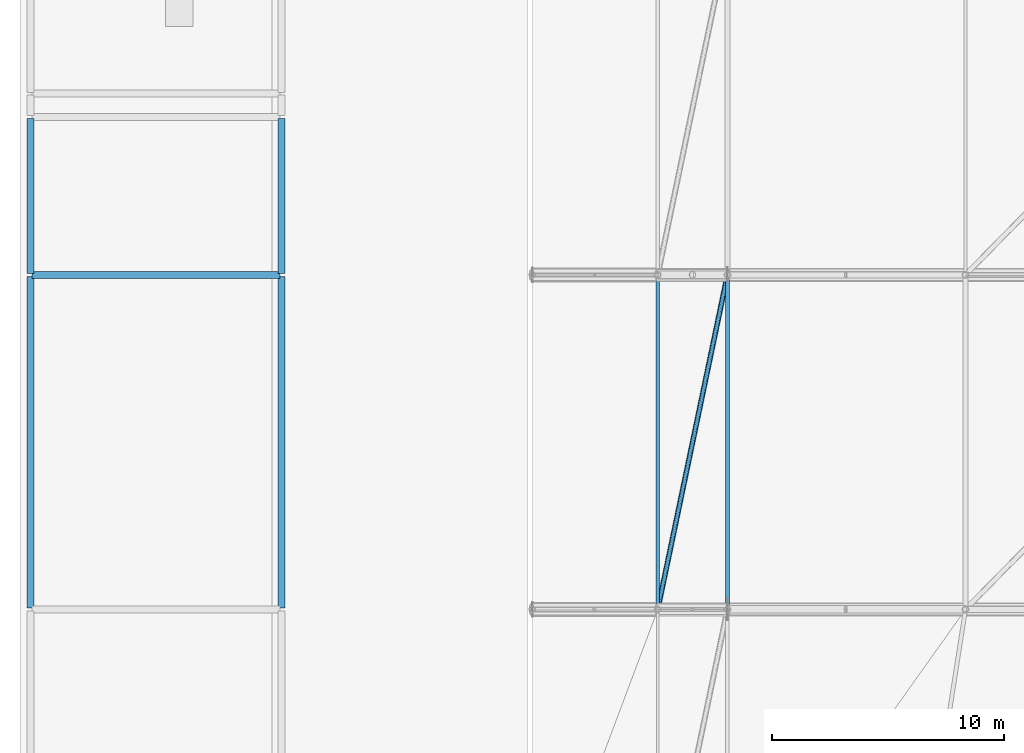
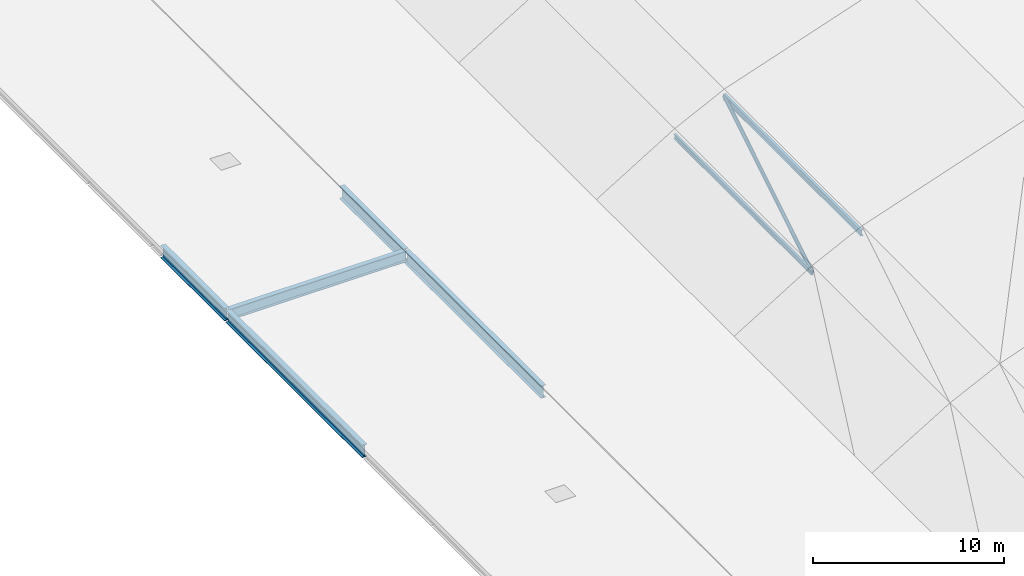
# One storey, part 6 of 36: 5 beams, 3 members.
"""IFC4 building model written with IfcOpenShell, lengths in metres."""

import ifcopenshell
import ifcopenshell.guid

model = None  # the IFC model being written
_history = None  # IfcOwnerHistory: only IFC2X3 demands one
_inside = {}  # id of a spatial element -> (the spatial element, [elements in it])
_under = {}  # id of a project, library or spatial element -> (it, [spatial elements below it])
_declared = {}  # id of a project -> (the project, [libraries it declares])
_typed = {}  # id of a type object -> (the type object, [elements of that type])
_made_of = {}  # id of a material, layer set ... -> (it, [elements and type objects made of it])


def new_model(schema):
    """Start an empty IFC model of exactly this schema.

    Asked for "IFC4X3", IfcOpenShell would pick the latest addendum, in which some entities
    have other attributes; the version numbers below select the first issue.
    IFC2X3 requires an IfcOwnerHistory on every rooted entity: one is made here for all.
    """
    global model, _history
    if schema == "IFC4X3":
        model = ifcopenshell.file(schema_version=(4, 3, 0, 0))
    else:
        model = ifcopenshell.file(schema=schema)
    _inside.clear()
    _under.clear()
    _declared.clear()
    _typed.clear()
    _made_of.clear()
    _history = None
    if model.schema == "IFC2X3":
        org = make("IfcOrganization", Name="unknown")
        user = make(
            "IfcPersonAndOrganization",
            ThePerson=make("IfcPerson", FamilyName="unknown"),
            TheOrganization=org,
        )
        app = make(
            "IfcApplication",
            ApplicationDeveloper=org,
            Version="unknown",
            ApplicationFullName="unknown",
            ApplicationIdentifier="unknown",
        )
        _history = make(
            "IfcOwnerHistory",
            OwningUser=user,
            OwningApplication=app,
            ChangeAction="ADDED",
            CreationDate=0,
        )
    return model


def make(cls, **values):
    """One entity of the class cls with the attributes given. An attribute that is None is left unset."""
    return model.create_entity(
        cls, **{name: value for name, value in values.items() if value is not None}
    )


def rooted(cls, **values):
    """An entity with a GlobalId (a new one), such as an element, a storey or a relation."""
    return make(cls, GlobalId=ifcopenshell.guid.new(), OwnerHistory=_history, **values)


def si_unit(unit_type, name, prefix=None):
    """IfcSIUnit, for example si_unit("LENGTHUNIT", "METRE", prefix="MILLI")."""
    return make("IfcSIUnit", UnitType=unit_type, Prefix=prefix, Name=name)


def assignment(units):
    """IfcUnitAssignment: the units of a project."""
    return None if units is None else make("IfcUnitAssignment", Units=units)


def point(xyz):
    """IfcCartesianPoint."""
    return None if xyz is None else make("IfcCartesianPoint", Coordinates=xyz)


def direction(xyz):
    """IfcDirection."""
    return None if xyz is None else make("IfcDirection", DirectionRatios=xyz)


def frame(location, z_axis=None, x_axis=None):
    """IfcAxis2Placement3D, a coordinate frame: its origin and axes. An axis left out is left unset."""
    return make(
        "IfcAxis2Placement3D",
        Location=point(location),
        Axis=direction(z_axis),
        RefDirection=direction(x_axis),
    )


def frame_2d(location, x_axis=None):
    """IfcAxis2Placement2D, a coordinate frame in the plane: its origin and x axis."""
    return make(
        "IfcAxis2Placement2D", Location=point(location), RefDirection=direction(x_axis)
    )


def origin():
    """The frame at (0, 0, 0) with its axes left unset."""
    return frame((0.0, 0.0, 0.0))


def origin_2d():
    """The frame at (0, 0) in the plane with its x axis left unset."""
    return frame_2d((0.0, 0.0))


def place(relative_to, where):
    """IfcLocalPlacement: puts the frame where relative to a parent placement (None: the world)."""
    return make(
        "IfcLocalPlacement", PlacementRelTo=relative_to, RelativePlacement=where
    )


def context(
    kind, dimensions, precision=None, world=None, true_north=None, identifier=None
):
    """IfcGeometricRepresentationContext, for example the 3D "Model" context."""
    return make(
        "IfcGeometricRepresentationContext",
        ContextIdentifier=identifier,
        ContextType=kind,
        CoordinateSpaceDimension=dimensions,
        Precision=precision,
        WorldCoordinateSystem=world,
        TrueNorth=true_north,
    )


def subcontext(parent, identifier, kind, view, scale=None):
    """IfcGeometricRepresentationSubContext, for example "Body" below "Model"."""
    return make(
        "IfcGeometricRepresentationSubContext",
        ContextIdentifier=identifier,
        ContextType=kind,
        ParentContext=parent,
        TargetScale=scale,
        TargetView=view,
    )


def project(units=None, contexts=None):
    """IfcProject with its units and contexts."""
    return rooted(
        "IfcProject",
        Name="project",
        RepresentationContexts=contexts,
        UnitsInContext=assignment(units),
    )


def spatial(cls, under=None, at=None, **own):
    """A site, building, storey or space (cls), placed at a placement, below another one or the project."""
    s = rooted(cls, ObjectPlacement=at, **own)
    if under is not None:
        _under.setdefault(under.id(), (under, []))[1].append(s)
    return s


def profile(cls, at=None, kind="AREA", **sizes):
    """A parametric profile (cls). Its sizes go by their IFC names, for example OverallWidth=200.0."""
    return make(cls, ProfileType=kind, Position=at, **sizes)


def hollow_circle(**sizes):
    """IfcCircleHollowProfileDef."""
    return profile("IfcCircleHollowProfileDef", **sizes)


def i_section(**sizes):
    """IfcIShapeProfileDef."""
    return profile("IfcIShapeProfileDef", **sizes)


def extrude(swept, where, along, depth):
    """IfcExtrudedAreaSolid: the profile swept, set in the frame where, extruded along a direction by depth."""
    return make(
        "IfcExtrudedAreaSolid",
        SweptArea=swept,
        Position=where,
        ExtrudedDirection=direction(along),
        Depth=depth,
    )


def shape(context_of_items, identifier, shape_type, items):
    """IfcShapeRepresentation: the items that make up one representation, for example the "Body"."""
    return make(
        "IfcShapeRepresentation",
        ContextOfItems=context_of_items,
        RepresentationIdentifier=identifier,
        RepresentationType=shape_type,
        Items=items,
    )


def material(Name=None, Category=None):
    """IfcMaterial."""
    return make("IfcMaterial", Name=Name, Category=Category)


def material_profile(
    of_material, cross_section, Name=None, Category=None, Priority=None
):
    """IfcMaterialProfile: a cross section and its material."""
    return make(
        "IfcMaterialProfile",
        Name=Name,
        Material=of_material,
        Profile=cross_section,
        Priority=Priority,
        Category=Category,
    )


def profile_set(profiles, Name=None, composite=None):
    """IfcMaterialProfileSet."""
    return make(
        "IfcMaterialProfileSet",
        Name=Name,
        MaterialProfiles=profiles,
        CompositeProfile=composite,
    )


def made_of(thing, what):
    """Note that an element or type object is made of a material, layer set ...; save() writes the relation."""
    if what is not None:
        _made_of.setdefault(what.id(), (what, []))[1].append(thing)
    return thing


def type_object(cls, material=None, **own):
    """A type object (cls), such as IfcWallType, which elements share."""
    return made_of(rooted(cls, **own), material)


def element(
    cls,
    number,
    at=None,
    inside=None,
    cuts=None,
    type_object=None,
    material=None,
    context=None,
    identifier="Body",
    shape_type=None,
    held_by="IfcProductDefinitionShape",
    body=None,
    shapes=None,
    **own,
):
    """One element of the class cls, such as IfcWall. Its Tag is "e" and its number.

    at: its placement. inside: the storey or other place that contains it. cuts: it is an
    opening in that element (IfcRelVoidsElement). A single representation is given by context,
    identifier, shape_type and body (its items); several are given by shapes. held_by: the class
    of the entity that holds the representations. save() writes the other relations.
    """
    e = rooted(cls, Tag="e%d" % number, ObjectPlacement=at, **own)
    if body is not None:
        shapes = [shape(context, identifier, shape_type, body)]
    if shapes is not None:
        e.Representation = make(held_by, Representations=shapes)
    if inside is not None:
        _inside.setdefault(inside.id(), (inside, []))[1].append(e)
    if cuts is not None:
        rooted(
            "IfcRelVoidsElement", RelatingBuildingElement=cuts, RelatedOpeningElement=e
        )
    if type_object is not None:
        _typed.setdefault(type_object.id(), (type_object, []))[1].append(e)
    return made_of(e, material)


def aggregate(whole, parts):
    """IfcRelAggregates: a whole, such as a stair, and the parts it consists of."""
    return rooted("IfcRelAggregates", RelatingObject=whole, RelatedObjects=parts)


def save(model, path):
    """Write the relations noted so far, then the file.

    IfcRelAggregates (storeys below a building ...), IfcRelContainedInSpatialStructure (elements
    in a storey), IfcRelDefinesByType, IfcRelAssociatesMaterial and IfcRelDeclares: one each for
    every whole, place, type object, material and project.
    """
    for whole, parts in _under.values():
        aggregate(whole, parts)
    for where, things in _inside.values():
        rooted(
            "IfcRelContainedInSpatialStructure",
            RelatedElements=things,
            RelatingStructure=where,
        )
    for kind, things in _typed.values():
        rooted("IfcRelDefinesByType", RelatedObjects=things, RelatingType=kind)
    for what, things in _made_of.values():
        rooted("IfcRelAssociatesMaterial", RelatedObjects=things, RelatingMaterial=what)
    for by, libraries in _declared.values():
        rooted("IfcRelDeclares", RelatingContext=by, RelatedDefinitions=libraries)
    model.write(path)


model = new_model("IFC4")

# Units and contexts
model_context = context("Model", 3, precision=1e-05, world=origin(), true_north=direction((0.0, 1.0)))
body_context = subcontext(model_context, "Body", "Model", "MODEL_VIEW")
ifc_project = project(units=[si_unit("LENGTHUNIT", "METRE"), si_unit("AREAUNIT", "SQUARE_METRE"), si_unit("VOLUMEUNIT", "CUBIC_METRE"), si_unit("PLANEANGLEUNIT", "RADIAN"), si_unit("MASSUNIT", "GRAM", prefix="KILO")], contexts=[model_context])

# Site, building, storey
site_placement = place(None, origin())
site = spatial("IfcSite", under=ifc_project, at=site_placement, CompositionType="ELEMENT")
building_placement = place(site_placement, origin())
building = spatial("IfcBuilding", under=site, at=building_placement, Name="Koshinbarg Plaza Stadium", CompositionType="ELEMENT")
storey_placement = place(building_placement, frame((0.0, 0.0, 34.199951171875)))
storey = spatial("IfcBuildingStorey", under=building, at=storey_placement, Name="RF", CompositionType="ELEMENT", Elevation=34.199951171875)

# Beams
ifc_material = material(Name="Steel S355", Category="steel")
ifc_material_profile_1 = material_profile(ifc_material, i_section(OverallWidth=0.300048828125, OverallDepth=0.699951171875, WebThickness=0.01708984375, FlangeThickness=0.031982421875, at=origin_2d()), Name="HEB 700")
ifc_profile_set_1 = profile_set([ifc_material_profile_1], Name="Steel S355")
beam_type_1 = type_object("IfcBeamType", Name="BM-SGIR-03", PredefinedType="USERDEFINED", material=ifc_profile_set_1)
beam_1_placement = place(storey_placement, frame((24.659912109375, 68.699951171875, -0.64990234375), z_axis=(1.0, 0.0, 0.0), x_axis=(0.0, 1.0, 0.0)))
element("IfcBeam", 1, at=beam_1_placement, inside=storey, type_object=beam_type_1, Name="RF roof girder J/5-6", ObjectType="GIRDER", PredefinedType="USERDEFINED", context=body_context, shape_type="SweptSolid", body=[
    extrude(i_section(OverallWidth=0.300048828125, OverallDepth=0.699951171875, WebThickness=0.01708984375, FlangeThickness=0.031982421875, at=origin_2d()), origin(), (0.0, 0.0, 1.0), 10.68017578125),
])
ifc_material_profile_2 = material_profile(ifc_material, i_section(OverallWidth=0.300048828125, OverallDepth=0.800048828125, WebThickness=0.017578125, FlangeThickness=0.032958984375, at=origin_2d()), Name="HEB 800")
ifc_profile_set_2 = profile_set([ifc_material_profile_2], Name="Steel S355")
beam_type_2 = type_object("IfcBeamType", Name="BM-SGIR-04", PredefinedType="USERDEFINED", material=ifc_profile_set_2)
beam_2_placement = place(storey_placement, frame((24.60009765625, 54.360107421875, -0.699951171875), z_axis=(0.0, 1.0, 0.0), x_axis=(-1.0, 0.0, 0.0)))
element("IfcBeam", 2, at=beam_2_placement, inside=storey, type_object=beam_type_2, Name="RF roof girder 5/H-J", ObjectType="GIRDER", PredefinedType="USERDEFINED", context=body_context, shape_type="SweptSolid", body=[
    extrude(i_section(OverallWidth=0.300048828125, OverallDepth=0.800048828125, WebThickness=0.017578125, FlangeThickness=0.032958984375, at=origin_2d()), origin(), (0.0, 0.0, 1.0), 14.27978515625),
])
beam_3_placement = place(storey_placement, frame((24.60009765625, 68.760009765625, -0.699951171875), z_axis=(0.0, 1.0, 0.0), x_axis=(-1.0, 0.0, 0.0)))
element("IfcBeam", 3, at=beam_3_placement, inside=storey, type_object=beam_type_2, Name="RF roof girder 5/J-K", ObjectType="GIRDER", PredefinedType="USERDEFINED", context=body_context, shape_type="SweptSolid", body=[
    extrude(i_section(OverallWidth=0.300048828125, OverallDepth=0.800048828125, WebThickness=0.017578125, FlangeThickness=0.032958984375, at=origin_2d()), origin(), (0.0, 0.0, 1.0), 6.679931640625),
])
beam_4_placement = place(storey_placement, frame((35.39990234375, 54.360107421875, -0.699951171875), z_axis=(0.0, 1.0, 0.0), x_axis=(-1.0, 0.0, 0.0)))
element("IfcBeam", 4, at=beam_4_placement, inside=storey, type_object=beam_type_2, Name="RF roof girder 6/H-J", ObjectType="GIRDER", PredefinedType="USERDEFINED", context=body_context, shape_type="SweptSolid", body=[
    extrude(i_section(OverallWidth=0.300048828125, OverallDepth=0.800048828125, WebThickness=0.017578125, FlangeThickness=0.032958984375, at=origin_2d()), origin(), (0.0, 0.0, 1.0), 14.27978515625),
])
beam_5_placement = place(storey_placement, frame((35.39990234375, 68.760009765625, -0.699951171875), z_axis=(0.0, 1.0, 0.0), x_axis=(-1.0, 0.0, 0.0)))
element("IfcBeam", 5, at=beam_5_placement, inside=storey, type_object=beam_type_2, Name="RF roof girder 6/J-K", ObjectType="GIRDER", PredefinedType="USERDEFINED", context=body_context, shape_type="SweptSolid", body=[
    extrude(i_section(OverallWidth=0.300048828125, OverallDepth=0.800048828125, WebThickness=0.017578125, FlangeThickness=0.032958984375, at=origin_2d()), origin(), (0.0, 0.0, 1.0), 6.679931640625),
])

# Members
ifc_material_profile_3 = material_profile(ifc_material, hollow_circle(Radius=0.109619140625, WallThickness=0.010009765625, at=origin_2d()), Name="CHS 219.1x10")
ifc_profile_set_3 = profile_set([ifc_material_profile_3], Name="Steel S355")
member_type_1 = type_object("IfcMemberType", Name="MB-BRACE-03", PredefinedType="BRACE", material=ifc_profile_set_3)
member_1_placement = place(storey_placement, frame((51.60009765625, 54.300048828125, 1.284912109375), z_axis=(0.202937656498, 0.974094145148, 0.099784287155), x_axis=(-0.978980143565, 0.203955579738, 0.0)))
element("IfcMember", 6, at=member_1_placement, inside=storey, type_object=member_type_1, Name="Roof plan wind brace west bay 3.2", PredefinedType="BRACE", context=body_context, shape_type="SweptSolid", body=[
    extrude(hollow_circle(Radius=0.109619140625, WallThickness=0.010009765625, at=origin_2d()), origin(), (0.0, 0.0, 1.0), 14.782958984375),
])
ifc_material_profile_4 = material_profile(ifc_material, i_section(OverallWidth=0.14990234375, OverallDepth=0.300048828125, WebThickness=0.007080078125, FlangeThickness=0.0107421875, at=origin_2d()), Name="IPE 300")
ifc_profile_set_4 = profile_set([ifc_material_profile_4], Name="Steel S355")
member_type_2 = type_object("IfcMemberType", Name="MB-PURL-04", PredefinedType="PURLIN", material=ifc_profile_set_4)
member_2_placement = place(storey_placement, frame((51.60009765625, 54.300048828125, 1.264892578125), z_axis=(0.0, 1.0, 0.0), x_axis=(-1.0, 0.0, 0.0)))
element("IfcMember", 7, at=member_2_placement, inside=storey, type_object=member_type_2, Name="Roof longitudinal purlin west bay 3.2", PredefinedType="PURLIN", context=body_context, shape_type="SweptSolid", body=[
    extrude(i_section(OverallWidth=0.14990234375, OverallDepth=0.300048828125, WebThickness=0.007080078125, FlangeThickness=0.0107421875, at=origin_2d()), origin(), (0.0, 0.0, 1.0), 14.39990234375),
])
ifc_material_profile_5 = material_profile(ifc_material, i_section(OverallWidth=0.169921875, OverallDepth=0.360107421875, WebThickness=0.008056640625, FlangeThickness=0.0126953125, at=origin_2d()), Name="IPE 360")
ifc_profile_set_5 = profile_set([ifc_material_profile_5], Name="Steel S355")
member_type_3 = type_object("IfcMemberType", Name="MB-PURL-05", PredefinedType="PURLIN", material=ifc_profile_set_5)
member_3_placement = place(storey_placement, frame((54.60009765625, 54.300048828125, 2.739990234375), z_axis=(0.0, 1.0, 0.0), x_axis=(-1.0, 0.0, 0.0)))
element("IfcMember", 8, at=member_3_placement, inside=storey, type_object=member_type_3, Name="Roof longitudinal purlin west bay 3.3", PredefinedType="PURLIN", context=body_context, shape_type="SweptSolid", body=[
    extrude(i_section(OverallWidth=0.169921875, OverallDepth=0.360107421875, WebThickness=0.008056640625, FlangeThickness=0.0126953125, at=origin_2d()), origin(), (0.0, 0.0, 1.0), 14.39990234375),
])

save(model, "model.ifc")
